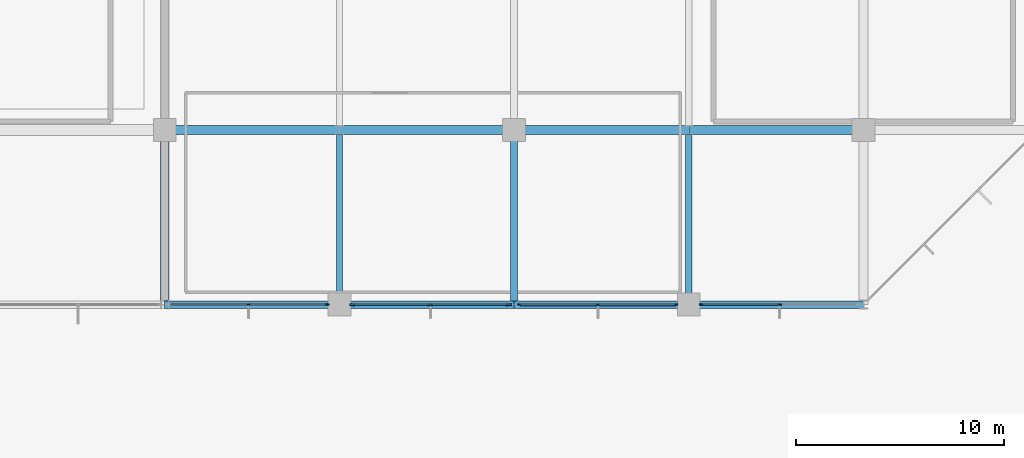
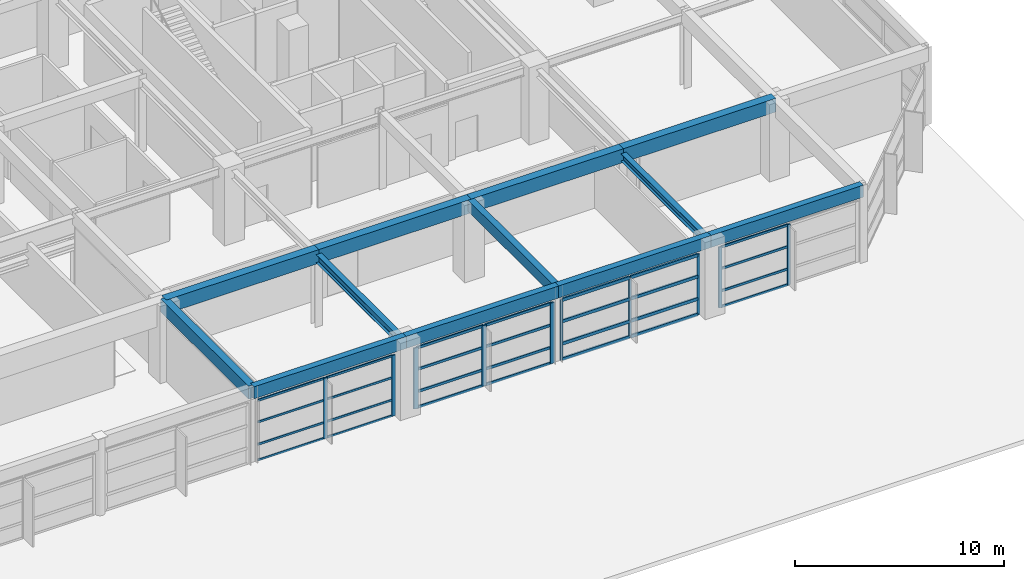
# One storey, part 29 of 47: 38 members, 12 beams, 4 elements without a shape of their own.
"""IFC4 building model written with IfcOpenShell, lengths in metres."""

from ifc_helpers import new_model, si_unit, direction, frame, origin, origin_2d, place, context, subcontext, project, spatial, rectangle, i_section, extrude, material, material_profile, profile_set, type_object, element, aggregate, save


model = new_model("IFC4")

# Units and contexts
model_context = context("Model", 3, precision=1e-05, world=origin(), true_north=direction((0.0, 1.0)))
body_context = subcontext(model_context, "Body", "Model", "MODEL_VIEW")
ifc_project = project(units=[si_unit("LENGTHUNIT", "METRE"), si_unit("AREAUNIT", "SQUARE_METRE"), si_unit("VOLUMEUNIT", "CUBIC_METRE"), si_unit("PLANEANGLEUNIT", "RADIAN"), si_unit("MASSUNIT", "GRAM", prefix="KILO")], contexts=[model_context])

# Site, building, storey
site_placement = place(None, origin())
site = spatial("IfcSite", under=ifc_project, at=site_placement, CompositionType="ELEMENT")
building_placement = place(site_placement, origin())
building = spatial("IfcBuilding", under=site, at=building_placement, Name="Xuanlan Plaza Opera House", CompositionType="ELEMENT")
storey_placement = place(building_placement, frame((0.0, 0.0, 23.39990234375)))
storey = spatial("IfcBuildingStorey", under=building, at=storey_placement, Name="L05", CompositionType="ELEMENT", Elevation=23.39990234375)

# Curtain wall, members
ifc_material_1 = material(Name="Anodised Aluminium 6063-T6 and Low-E Glass", Category="aluminium")
curtain_wall_type_1 = type_object("IfcCurtainWallType", Name="ENV-CW-CW-01", PredefinedType="USERDEFINED", material=ifc_material_1)
curtain_wall_1_placement = place(storey_placement, origin())
curtain_wall_1 = element("IfcCurtainWall", 1, at=curtain_wall_1_placement, inside=storey, type_object=curtain_wall_type_1, Name="Unitised Curtain Wall L05-014", ObjectType="UNITISED CURTAIN WALL", PredefinedType="USERDEFINED")
ifc_material_2 = material(Name="Anodised Aluminium 6063-T6", Category="aluminium")
ifc_material_profile_1 = material_profile(ifc_material_2, rectangle(XDim=0.06494140625, YDim=0.159912109375, at=origin_2d()), Name="ALU-M 65x160")
ifc_profile_set_1 = profile_set([ifc_material_profile_1], Name="Anodised Aluminium 6063-T6")
member_type_1 = type_object("IfcMemberType", Name="ENV-CWM-01", PredefinedType="MULLION", material=ifc_profile_set_1)
member_1_placement = place(storey_placement, frame((143.052490234375, 33.60009765625, 0.0), z_axis=(0.0, 0.0, 1.0), x_axis=(0.0, 1.0, 0.0)))
member_1 = element("IfcMember", 2, at=member_1_placement, type_object=member_type_1, Name="CW-01 mullion 1", PredefinedType="MULLION", context=body_context, shape_type="SweptSolid", body=[
    extrude(rectangle(XDim=0.06494140625, YDim=0.159912109375, at=origin_2d()), origin(), (0.0, 0.0, 1.0), 3.5400390625),
])
member_2_placement = place(storey_placement, frame((146.824951171875, 33.60009765625, 0.0), z_axis=(0.0, 0.0, 1.0), x_axis=(0.0, 1.0, 0.0)))
member_2 = element("IfcMember", 3, at=member_2_placement, type_object=member_type_1, Name="CW-01 mullion 2", PredefinedType="MULLION", context=body_context, shape_type="SweptSolid", body=[
    extrude(rectangle(XDim=0.06494140625, YDim=0.159912109375, at=origin_2d()), origin(), (0.0, 0.0, 1.0), 3.5400390625),
])
member_3_placement = place(storey_placement, frame((150.597412109375, 33.60009765625, 0.0), z_axis=(0.0, 0.0, 1.0), x_axis=(0.0, 1.0, 0.0)))
member_3 = element("IfcMember", 4, at=member_3_placement, type_object=member_type_1, Name="CW-01 mullion 3", PredefinedType="MULLION", context=body_context, shape_type="SweptSolid", body=[
    extrude(rectangle(XDim=0.06494140625, YDim=0.159912109375, at=origin_2d()), origin(), (0.0, 0.0, 1.0), 3.5400390625),
])

curtain_wall_type_2 = type_object("IfcCurtainWallType", Name="ENV-CW-CW-02", PredefinedType="USERDEFINED", material=ifc_material_1)
curtain_wall_2_placement = place(storey_placement, origin())
curtain_wall_2 = element("IfcCurtainWall", 5, at=curtain_wall_2_placement, inside=storey, type_object=curtain_wall_type_2, Name="Unitised Curtain Wall L05-015", ObjectType="UNITISED CURTAIN WALL", PredefinedType="USERDEFINED")
ifc_material_profile_2 = material_profile(ifc_material_2, rectangle(XDim=0.070068359375, YDim=0.179931640625, at=origin_2d()), Name="ALU-M 70x180")
ifc_profile_set_2 = profile_set([ifc_material_profile_2], Name="Anodised Aluminium 6063-T6")
member_type_2 = type_object("IfcMemberType", Name="ENV-CWM-02", PredefinedType="MULLION", material=ifc_profile_set_2)
member_4_placement = place(storey_placement, frame((151.804931640625, 33.60009765625, 0.0), z_axis=(0.0, 0.0, 1.0), x_axis=(0.0, 1.0, 0.0)))
member_4 = element("IfcMember", 6, at=member_4_placement, type_object=member_type_2, Name="CW-02 mullion 1", PredefinedType="MULLION", context=body_context, shape_type="SweptSolid", body=[
    extrude(rectangle(XDim=0.070068359375, YDim=0.179931640625, at=origin_2d()), origin(), (0.0, 0.0, 1.0), 3.5400390625),
])
member_5_placement = place(storey_placement, frame((155.574951171875, 33.60009765625, 0.0), z_axis=(0.0, 0.0, 1.0), x_axis=(0.0, 1.0, 0.0)))
member_5 = element("IfcMember", 7, at=member_5_placement, type_object=member_type_2, Name="CW-02 mullion 2", PredefinedType="MULLION", context=body_context, shape_type="SweptSolid", body=[
    extrude(rectangle(XDim=0.070068359375, YDim=0.179931640625, at=origin_2d()), origin(), (0.0, 0.0, 1.0), 3.5400390625),
])

curtain_wall_type_3 = type_object("IfcCurtainWallType", Name="ENV-CW-CW-05", PredefinedType="USERDEFINED", material=ifc_material_1)
curtain_wall_3_placement = place(storey_placement, origin())
curtain_wall_3 = element("IfcCurtainWall", 8, at=curtain_wall_3_placement, inside=storey, type_object=curtain_wall_type_3, Name="Acoustic Glazed Wall L05-012", ObjectType="ACOUSTIC GLAZED WALL", PredefinedType="USERDEFINED")
ifc_material_profile_3 = material_profile(ifc_material_2, rectangle(XDim=0.080078125, YDim=0.219970703125, at=origin_2d()), Name="ALU-M 80x220")
ifc_profile_set_3 = profile_set([ifc_material_profile_3], Name="Anodised Aluminium 6063-T6")
member_type_3 = type_object("IfcMemberType", Name="ENV-CWM-04", PredefinedType="MULLION", material=ifc_profile_set_3)
member_6_placement = place(storey_placement, frame((130.02490234375, 33.60009765625, 0.0), z_axis=(0.0, 0.0, 1.0), x_axis=(0.0, 1.0, 0.0)))
member_6 = element("IfcMember", 9, at=member_6_placement, type_object=member_type_3, Name="CW-05 mullion 2", PredefinedType="MULLION", context=body_context, shape_type="SweptSolid", body=[
    extrude(rectangle(XDim=0.080078125, YDim=0.219970703125, at=origin_2d()), origin(), (0.0, 0.0, 1.0), 3.5400390625),
])
member_7_placement = place(storey_placement, frame((133.7900390625, 33.60009765625, 0.0), z_axis=(0.0, 0.0, 1.0), x_axis=(0.0, 1.0, 0.0)))
member_7 = element("IfcMember", 10, at=member_7_placement, type_object=member_type_3, Name="CW-05 mullion 3", PredefinedType="MULLION", context=body_context, shape_type="SweptSolid", body=[
    extrude(rectangle(XDim=0.080078125, YDim=0.219970703125, at=origin_2d()), origin(), (0.0, 0.0, 1.0), 3.5400390625),
])

curtain_wall_type_4 = type_object("IfcCurtainWallType", Name="ENV-CW-CW-04", PredefinedType="USERDEFINED", material=ifc_material_1)
curtain_wall_4_placement = place(storey_placement, origin())
curtain_wall_4 = element("IfcCurtainWall", 11, at=curtain_wall_4_placement, inside=storey, type_object=curtain_wall_type_4, Name="Unitised Curtain Wall L05-013", ObjectType="UNITISED CURTAIN WALL", PredefinedType="USERDEFINED")
ifc_material_profile_4 = material_profile(ifc_material_2, rectangle(XDim=0.090087890625, YDim=0.25, at=origin_2d()), Name="ALU-M 90x250")
ifc_profile_set_4 = profile_set([ifc_material_profile_4], Name="Anodised Aluminium 6063-T6")
member_type_4 = type_object("IfcMemberType", Name="ENV-CWM-05", PredefinedType="MULLION", material=ifc_profile_set_4)
member_8_placement = place(storey_placement, frame((135.014892578125, 33.60009765625, 0.0), z_axis=(0.0, 0.0, 1.0), x_axis=(0.0, 1.0, 0.0)))
member_8 = element("IfcMember", 12, at=member_8_placement, type_object=member_type_4, Name="CW-04 mullion 1", PredefinedType="MULLION", context=body_context, shape_type="SweptSolid", body=[
    extrude(rectangle(XDim=0.090087890625, YDim=0.25, at=origin_2d()), origin(), (0.0, 0.0, 1.0), 3.5400390625),
])
member_9_placement = place(storey_placement, frame((138.77490234375, 33.60009765625, 0.0), z_axis=(0.0, 0.0, 1.0), x_axis=(0.0, 1.0, 0.0)))
member_9 = element("IfcMember", 13, at=member_9_placement, type_object=member_type_4, Name="CW-04 mullion 2", PredefinedType="MULLION", context=body_context, shape_type="SweptSolid", body=[
    extrude(rectangle(XDim=0.090087890625, YDim=0.25, at=origin_2d()), origin(), (0.0, 0.0, 1.0), 3.5400390625),
])
member_10_placement = place(storey_placement, frame((142.534912109375, 33.60009765625, 0.0), z_axis=(0.0, 0.0, 1.0), x_axis=(0.0, 1.0, 0.0)))
member_10 = element("IfcMember", 14, at=member_10_placement, type_object=member_type_4, Name="CW-04 mullion 3", PredefinedType="MULLION", context=body_context, shape_type="SweptSolid", body=[
    extrude(rectangle(XDim=0.090087890625, YDim=0.25, at=origin_2d()), origin(), (0.0, 0.0, 1.0), 3.5400390625),
])

# Member
ifc_material_profile_5 = material_profile(ifc_material_2, rectangle(XDim=0.06494140625, YDim=0.1201171875, at=origin_2d()), Name="ALU-T 65x120")
ifc_profile_set_5 = profile_set([ifc_material_profile_5], Name="Anodised Aluminium 6063-T6")
member_type_5 = type_object("IfcMemberType", Name="ENV-CWT-01", PredefinedType="USERDEFINED", material=ifc_profile_set_5)
member_11_placement = place(storey_placement, frame((126.300048828125, 33.60009765625, 0.03271484375), z_axis=(1.0, 0.0, 0.0), x_axis=(0.0, 1.0, 0.0)))
member_11 = element("IfcMember", 15, at=member_11_placement, type_object=member_type_5, Name="CW-05 transom 1.1", ObjectType="TRANSOM", PredefinedType="USERDEFINED", context=body_context, shape_type="SweptSolid", body=[
    extrude(rectangle(XDim=0.06494140625, YDim=0.1201171875, at=origin_2d()), origin(), (0.0, 0.0, 1.0), 3.68505859375),
])

member_12_placement = place(storey_placement, frame((126.300048828125, 33.60009765625, 0.9501953125), z_axis=(1.0, 0.0, 0.0), x_axis=(0.0, 1.0, 0.0)))
member_12 = element("IfcMember", 16, at=member_12_placement, type_object=member_type_5, Name="CW-05 transom 1.2", ObjectType="TRANSOM", PredefinedType="USERDEFINED", context=body_context, shape_type="SweptSolid", body=[
    extrude(rectangle(XDim=0.06494140625, YDim=0.1201171875, at=origin_2d()), origin(), (0.0, 0.0, 1.0), 3.68505859375),
])

member_13_placement = place(storey_placement, frame((126.300048828125, 33.60009765625, 2.25), z_axis=(1.0, 0.0, 0.0), x_axis=(0.0, 1.0, 0.0)))
member_13 = element("IfcMember", 17, at=member_13_placement, type_object=member_type_5, Name="CW-05 transom 1.3", ObjectType="TRANSOM", PredefinedType="USERDEFINED", context=body_context, shape_type="SweptSolid", body=[
    extrude(rectangle(XDim=0.06494140625, YDim=0.1201171875, at=origin_2d()), origin(), (0.0, 0.0, 1.0), 3.68505859375),
])

member_14_placement = place(storey_placement, frame((126.300048828125, 33.60009765625, 3.507568359375), z_axis=(1.0, 0.0, 0.0), x_axis=(0.0, 1.0, 0.0)))
member_14 = element("IfcMember", 18, at=member_14_placement, type_object=member_type_5, Name="CW-05 transom 1.4", ObjectType="TRANSOM", PredefinedType="USERDEFINED", context=body_context, shape_type="SweptSolid", body=[
    extrude(rectangle(XDim=0.06494140625, YDim=0.1201171875, at=origin_2d()), origin(), (0.0, 0.0, 1.0), 3.68505859375),
])

member_15_placement = place(storey_placement, frame((130.06494140625, 33.60009765625, 0.03271484375), z_axis=(1.0, 0.0, 0.0), x_axis=(0.0, 1.0, 0.0)))
member_15 = element("IfcMember", 19, at=member_15_placement, type_object=member_type_5, Name="CW-05 transom 2.1", ObjectType="TRANSOM", PredefinedType="USERDEFINED", context=body_context, shape_type="SweptSolid", body=[
    extrude(rectangle(XDim=0.06494140625, YDim=0.1201171875, at=origin_2d()), origin(), (0.0, 0.0, 1.0), 3.68505859375),
])

member_16_placement = place(storey_placement, frame((130.06494140625, 33.60009765625, 0.9501953125), z_axis=(1.0, 0.0, 0.0), x_axis=(0.0, 1.0, 0.0)))
member_16 = element("IfcMember", 20, at=member_16_placement, type_object=member_type_5, Name="CW-05 transom 2.2", ObjectType="TRANSOM", PredefinedType="USERDEFINED", context=body_context, shape_type="SweptSolid", body=[
    extrude(rectangle(XDim=0.06494140625, YDim=0.1201171875, at=origin_2d()), origin(), (0.0, 0.0, 1.0), 3.68505859375),
])

member_17_placement = place(storey_placement, frame((130.06494140625, 33.60009765625, 2.25), z_axis=(1.0, 0.0, 0.0), x_axis=(0.0, 1.0, 0.0)))
member_17 = element("IfcMember", 21, at=member_17_placement, type_object=member_type_5, Name="CW-05 transom 2.3", ObjectType="TRANSOM", PredefinedType="USERDEFINED", context=body_context, shape_type="SweptSolid", body=[
    extrude(rectangle(XDim=0.06494140625, YDim=0.1201171875, at=origin_2d()), origin(), (0.0, 0.0, 1.0), 3.68505859375),
])

member_18_placement = place(storey_placement, frame((130.06494140625, 33.60009765625, 3.507568359375), z_axis=(1.0, 0.0, 0.0), x_axis=(0.0, 1.0, 0.0)))
member_18 = element("IfcMember", 22, at=member_18_placement, type_object=member_type_5, Name="CW-05 transom 2.4", ObjectType="TRANSOM", PredefinedType="USERDEFINED", context=body_context, shape_type="SweptSolid", body=[
    extrude(rectangle(XDim=0.06494140625, YDim=0.1201171875, at=origin_2d()), origin(), (0.0, 0.0, 1.0), 3.68505859375),
])

aggregate(curtain_wall_3, [member_6, member_7, member_11, member_12, member_13, member_14, member_15, member_16, member_17, member_18])

ifc_material_profile_6 = material_profile(ifc_material_2, rectangle(XDim=0.070068359375, YDim=0.135009765625, at=origin_2d()), Name="ALU-T 70x135")
ifc_profile_set_6 = profile_set([ifc_material_profile_6], Name="Anodised Aluminium 6063-T6")
member_type_6 = type_object("IfcMemberType", Name="ENV-CWT-02", PredefinedType="USERDEFINED", material=ifc_profile_set_6)
member_19_placement = place(storey_placement, frame((151.840087890625, 33.60009765625, 0.03515625), z_axis=(1.0, 0.0, 0.0), x_axis=(0.0, 1.0, 0.0)))
member_19 = element("IfcMember", 23, at=member_19_placement, type_object=member_type_6, Name="CW-02 transom 1.1", ObjectType="TRANSOM", PredefinedType="USERDEFINED", context=body_context, shape_type="SweptSolid", body=[
    extrude(rectangle(XDim=0.070068359375, YDim=0.135009765625, at=origin_2d()), origin(), (0.0, 0.0, 1.0), 3.699951171875),
])

member_20_placement = place(storey_placement, frame((151.840087890625, 33.60009765625, 0.9501953125), z_axis=(1.0, 0.0, 0.0), x_axis=(0.0, 1.0, 0.0)))
member_20 = element("IfcMember", 24, at=member_20_placement, type_object=member_type_6, Name="CW-02 transom 1.2", ObjectType="TRANSOM", PredefinedType="USERDEFINED", context=body_context, shape_type="SweptSolid", body=[
    extrude(rectangle(XDim=0.070068359375, YDim=0.135009765625, at=origin_2d()), origin(), (0.0, 0.0, 1.0), 3.699951171875),
])

member_21_placement = place(storey_placement, frame((151.840087890625, 33.60009765625, 2.25), z_axis=(1.0, 0.0, 0.0), x_axis=(0.0, 1.0, 0.0)))
member_21 = element("IfcMember", 25, at=member_21_placement, type_object=member_type_6, Name="CW-02 transom 1.3", ObjectType="TRANSOM", PredefinedType="USERDEFINED", context=body_context, shape_type="SweptSolid", body=[
    extrude(rectangle(XDim=0.070068359375, YDim=0.135009765625, at=origin_2d()), origin(), (0.0, 0.0, 1.0), 3.699951171875),
])

member_22_placement = place(storey_placement, frame((151.840087890625, 33.60009765625, 3.505126953125), z_axis=(1.0, 0.0, 0.0), x_axis=(0.0, 1.0, 0.0)))
member_22 = element("IfcMember", 26, at=member_22_placement, type_object=member_type_6, Name="CW-02 transom 1.4", ObjectType="TRANSOM", PredefinedType="USERDEFINED", context=body_context, shape_type="SweptSolid", body=[
    extrude(rectangle(XDim=0.070068359375, YDim=0.135009765625, at=origin_2d()), origin(), (0.0, 0.0, 1.0), 3.699951171875),
])

aggregate(curtain_wall_2, [member_4, member_5, member_19, member_20, member_21, member_22])

ifc_material_profile_7 = material_profile(ifc_material_2, rectangle(XDim=0.074951171875, YDim=0.14990234375, at=origin_2d()), Name="ALU-T 75x150")
ifc_profile_set_7 = profile_set([ifc_material_profile_7], Name="Anodised Aluminium 6063-T6")
member_type_7 = type_object("IfcMemberType", Name="ENV-CWT-03", PredefinedType="USERDEFINED", material=ifc_profile_set_7)
member_23_placement = place(storey_placement, frame((135.06005859375, 33.60009765625, 0.03759765625), z_axis=(1.0, 0.0, 0.0), x_axis=(0.0, 1.0, 0.0)))
member_23 = element("IfcMember", 27, at=member_23_placement, type_object=member_type_7, Name="CW-04 transom 1.1", ObjectType="TRANSOM", PredefinedType="USERDEFINED", context=body_context, shape_type="SweptSolid", body=[
    extrude(rectangle(XDim=0.074951171875, YDim=0.14990234375, at=origin_2d()), origin(), (0.0, 0.0, 1.0), 3.669921875),
])

member_24_placement = place(storey_placement, frame((135.06005859375, 33.60009765625, 0.9501953125), z_axis=(1.0, 0.0, 0.0), x_axis=(0.0, 1.0, 0.0)))
member_24 = element("IfcMember", 28, at=member_24_placement, type_object=member_type_7, Name="CW-04 transom 1.2", ObjectType="TRANSOM", PredefinedType="USERDEFINED", context=body_context, shape_type="SweptSolid", body=[
    extrude(rectangle(XDim=0.074951171875, YDim=0.14990234375, at=origin_2d()), origin(), (0.0, 0.0, 1.0), 3.669921875),
])

member_25_placement = place(storey_placement, frame((135.06005859375, 33.60009765625, 2.25), z_axis=(1.0, 0.0, 0.0), x_axis=(0.0, 1.0, 0.0)))
member_25 = element("IfcMember", 29, at=member_25_placement, type_object=member_type_7, Name="CW-04 transom 1.3", ObjectType="TRANSOM", PredefinedType="USERDEFINED", context=body_context, shape_type="SweptSolid", body=[
    extrude(rectangle(XDim=0.074951171875, YDim=0.14990234375, at=origin_2d()), origin(), (0.0, 0.0, 1.0), 3.669921875),
])

member_26_placement = place(storey_placement, frame((135.06005859375, 33.60009765625, 3.502685546875), z_axis=(1.0, 0.0, 0.0), x_axis=(0.0, 1.0, 0.0)))
member_26 = element("IfcMember", 30, at=member_26_placement, type_object=member_type_7, Name="CW-04 transom 1.4", ObjectType="TRANSOM", PredefinedType="USERDEFINED", context=body_context, shape_type="SweptSolid", body=[
    extrude(rectangle(XDim=0.074951171875, YDim=0.14990234375, at=origin_2d()), origin(), (0.0, 0.0, 1.0), 3.669921875),
])

member_27_placement = place(storey_placement, frame((138.820068359375, 33.60009765625, 0.03759765625), z_axis=(1.0, 0.0, 0.0), x_axis=(0.0, 1.0, 0.0)))
member_27 = element("IfcMember", 31, at=member_27_placement, type_object=member_type_7, Name="CW-04 transom 2.1", ObjectType="TRANSOM", PredefinedType="USERDEFINED", context=body_context, shape_type="SweptSolid", body=[
    extrude(rectangle(XDim=0.074951171875, YDim=0.14990234375, at=origin_2d()), origin(), (0.0, 0.0, 1.0), 3.669921875),
])

member_28_placement = place(storey_placement, frame((138.820068359375, 33.60009765625, 0.9501953125), z_axis=(1.0, 0.0, 0.0), x_axis=(0.0, 1.0, 0.0)))
member_28 = element("IfcMember", 32, at=member_28_placement, type_object=member_type_7, Name="CW-04 transom 2.2", ObjectType="TRANSOM", PredefinedType="USERDEFINED", context=body_context, shape_type="SweptSolid", body=[
    extrude(rectangle(XDim=0.074951171875, YDim=0.14990234375, at=origin_2d()), origin(), (0.0, 0.0, 1.0), 3.669921875),
])

member_29_placement = place(storey_placement, frame((138.820068359375, 33.60009765625, 2.25), z_axis=(1.0, 0.0, 0.0), x_axis=(0.0, 1.0, 0.0)))
member_29 = element("IfcMember", 33, at=member_29_placement, type_object=member_type_7, Name="CW-04 transom 2.3", ObjectType="TRANSOM", PredefinedType="USERDEFINED", context=body_context, shape_type="SweptSolid", body=[
    extrude(rectangle(XDim=0.074951171875, YDim=0.14990234375, at=origin_2d()), origin(), (0.0, 0.0, 1.0), 3.669921875),
])

member_30_placement = place(storey_placement, frame((138.820068359375, 33.60009765625, 3.502685546875), z_axis=(1.0, 0.0, 0.0), x_axis=(0.0, 1.0, 0.0)))
member_30 = element("IfcMember", 34, at=member_30_placement, type_object=member_type_7, Name="CW-04 transom 2.4", ObjectType="TRANSOM", PredefinedType="USERDEFINED", context=body_context, shape_type="SweptSolid", body=[
    extrude(rectangle(XDim=0.074951171875, YDim=0.14990234375, at=origin_2d()), origin(), (0.0, 0.0, 1.0), 3.669921875),
])

aggregate(curtain_wall_4, [member_8, member_9, member_10, member_23, member_24, member_25, member_26, member_27, member_28, member_29, member_30])

ifc_material_profile_8 = material_profile(ifc_material_2, rectangle(XDim=0.090087890625, YDim=0.179931640625, at=origin_2d()), Name="ALU-T 90x180")
ifc_profile_set_8 = profile_set([ifc_material_profile_8], Name="Anodised Aluminium 6063-T6")
member_type_8 = type_object("IfcMemberType", Name="ENV-CWT-05", PredefinedType="USERDEFINED", material=ifc_profile_set_8)
member_31_placement = place(storey_placement, frame((143.0849609375, 33.60009765625, 0.045166015625), z_axis=(1.0, 0.0, 0.0), x_axis=(0.0, 1.0, 0.0)))
member_31 = element("IfcMember", 35, at=member_31_placement, type_object=member_type_8, Name="CW-01 transom 1.1", ObjectType="TRANSOM", PredefinedType="USERDEFINED", context=body_context, shape_type="SweptSolid", body=[
    extrude(rectangle(XDim=0.090087890625, YDim=0.179931640625, at=origin_2d()), origin(), (0.0, 0.0, 1.0), 3.70751953125),
])

member_32_placement = place(storey_placement, frame((143.0849609375, 33.60009765625, 0.9501953125), z_axis=(1.0, 0.0, 0.0), x_axis=(0.0, 1.0, 0.0)))
member_32 = element("IfcMember", 36, at=member_32_placement, type_object=member_type_8, Name="CW-01 transom 1.2", ObjectType="TRANSOM", PredefinedType="USERDEFINED", context=body_context, shape_type="SweptSolid", body=[
    extrude(rectangle(XDim=0.090087890625, YDim=0.179931640625, at=origin_2d()), origin(), (0.0, 0.0, 1.0), 3.70751953125),
])

member_33_placement = place(storey_placement, frame((143.0849609375, 33.60009765625, 2.25), z_axis=(1.0, 0.0, 0.0), x_axis=(0.0, 1.0, 0.0)))
member_33 = element("IfcMember", 37, at=member_33_placement, type_object=member_type_8, Name="CW-01 transom 1.3", ObjectType="TRANSOM", PredefinedType="USERDEFINED", context=body_context, shape_type="SweptSolid", body=[
    extrude(rectangle(XDim=0.090087890625, YDim=0.179931640625, at=origin_2d()), origin(), (0.0, 0.0, 1.0), 3.70751953125),
])

member_34_placement = place(storey_placement, frame((143.0849609375, 33.60009765625, 3.4951171875), z_axis=(1.0, 0.0, 0.0), x_axis=(0.0, 1.0, 0.0)))
member_34 = element("IfcMember", 38, at=member_34_placement, type_object=member_type_8, Name="CW-01 transom 1.4", ObjectType="TRANSOM", PredefinedType="USERDEFINED", context=body_context, shape_type="SweptSolid", body=[
    extrude(rectangle(XDim=0.090087890625, YDim=0.179931640625, at=origin_2d()), origin(), (0.0, 0.0, 1.0), 3.70751953125),
])

member_35_placement = place(storey_placement, frame((146.857421875, 33.60009765625, 0.045166015625), z_axis=(1.0, 0.0, 0.0), x_axis=(0.0, 1.0, 0.0)))
member_35 = element("IfcMember", 39, at=member_35_placement, type_object=member_type_8, Name="CW-01 transom 2.1", ObjectType="TRANSOM", PredefinedType="USERDEFINED", context=body_context, shape_type="SweptSolid", body=[
    extrude(rectangle(XDim=0.090087890625, YDim=0.179931640625, at=origin_2d()), origin(), (0.0, 0.0, 1.0), 3.70751953125),
])

member_36_placement = place(storey_placement, frame((146.857421875, 33.60009765625, 0.9501953125), z_axis=(1.0, 0.0, 0.0), x_axis=(0.0, 1.0, 0.0)))
member_36 = element("IfcMember", 40, at=member_36_placement, type_object=member_type_8, Name="CW-01 transom 2.2", ObjectType="TRANSOM", PredefinedType="USERDEFINED", context=body_context, shape_type="SweptSolid", body=[
    extrude(rectangle(XDim=0.090087890625, YDim=0.179931640625, at=origin_2d()), origin(), (0.0, 0.0, 1.0), 3.70751953125),
])

member_37_placement = place(storey_placement, frame((146.857421875, 33.60009765625, 2.25), z_axis=(1.0, 0.0, 0.0), x_axis=(0.0, 1.0, 0.0)))
member_37 = element("IfcMember", 41, at=member_37_placement, type_object=member_type_8, Name="CW-01 transom 2.3", ObjectType="TRANSOM", PredefinedType="USERDEFINED", context=body_context, shape_type="SweptSolid", body=[
    extrude(rectangle(XDim=0.090087890625, YDim=0.179931640625, at=origin_2d()), origin(), (0.0, 0.0, 1.0), 3.70751953125),
])

member_38_placement = place(storey_placement, frame((146.857421875, 33.60009765625, 3.4951171875), z_axis=(1.0, 0.0, 0.0), x_axis=(0.0, 1.0, 0.0)))
member_38 = element("IfcMember", 42, at=member_38_placement, type_object=member_type_8, Name="CW-01 transom 2.4", ObjectType="TRANSOM", PredefinedType="USERDEFINED", context=body_context, shape_type="SweptSolid", body=[
    extrude(rectangle(XDim=0.090087890625, YDim=0.179931640625, at=origin_2d()), origin(), (0.0, 0.0, 1.0), 3.70751953125),
])

aggregate(curtain_wall_1, [member_1, member_2, member_3, member_31, member_32, member_33, member_34, member_35, member_36, member_37, member_38])

# Beams
ifc_material_3 = material(Name="Concrete C40", Category="concrete")
ifc_material_profile_9 = material_profile(ifc_material_3, rectangle(XDim=0.449951171875, YDim=0.800048828125, at=origin_2d()), Name="RC-BM 450x800")
ifc_profile_set_9 = profile_set([ifc_material_profile_9], Name="Concrete C40")
beam_type_1 = type_object("IfcBeamType", Name="STR-BM-B-05", PredefinedType="BEAM", material=ifc_profile_set_9)
beam_1_placement = place(storey_placement, frame((126.0, 42.0, 4.10009765625), z_axis=(1.0, 0.0, 0.0), x_axis=(0.0, 1.0, 0.0)))
element("IfcBeam", 43, at=beam_1_placement, inside=storey, type_object=beam_type_1, Name="Grid Beam X L05 16-17/F", PredefinedType="BEAM", context=body_context, shape_type="SweptSolid", body=[
    extrude(rectangle(XDim=0.449951171875, YDim=0.800048828125, at=origin_2d()), origin(), (0.0, 0.0, 1.0), 8.39990234375),
])
beam_2_placement = place(storey_placement, frame((134.39990234375, 42.0, 4.10009765625), z_axis=(1.0, 0.0, 0.0), x_axis=(0.0, 1.0, 0.0)))
element("IfcBeam", 44, at=beam_2_placement, inside=storey, type_object=beam_type_1, Name="Grid Beam X L05 17-18/F", PredefinedType="BEAM", context=body_context, shape_type="SweptSolid", body=[
    extrude(rectangle(XDim=0.449951171875, YDim=0.800048828125, at=origin_2d()), origin(), (0.0, 0.0, 1.0), 8.400146484375),
])
beam_3_placement = place(storey_placement, frame((142.800048828125, 42.0, 4.10009765625), z_axis=(1.0, 0.0, 0.0), x_axis=(0.0, 1.0, 0.0)))
element("IfcBeam", 45, at=beam_3_placement, inside=storey, type_object=beam_type_1, Name="Grid Beam X L05 18-19/F", PredefinedType="BEAM", context=body_context, shape_type="SweptSolid", body=[
    extrude(rectangle(XDim=0.449951171875, YDim=0.800048828125, at=origin_2d()), origin(), (0.0, 0.0, 1.0), 8.39990234375),
])
beam_4_placement = place(storey_placement, frame((151.199951171875, 42.0, 4.10009765625), z_axis=(1.0, 0.0, 0.0), x_axis=(0.0, 1.0, 0.0)))
element("IfcBeam", 46, at=beam_4_placement, inside=storey, type_object=beam_type_1, Name="Grid Beam X L05 19-20/F", PredefinedType="BEAM", context=body_context, shape_type="SweptSolid", body=[
    extrude(rectangle(XDim=0.449951171875, YDim=0.800048828125, at=origin_2d()), origin(), (0.0, 0.0, 1.0), 8.400146484375),
])
ifc_material_profile_10 = material_profile(ifc_material_3, rectangle(XDim=0.39990234375, YDim=0.75, at=origin_2d()), Name="RC-BM 400x750")
ifc_profile_set_10 = profile_set([ifc_material_profile_10], Name="Concrete C40")
beam_type_2 = type_object("IfcBeamType", Name="STR-BM-B-06", PredefinedType="BEAM", material=ifc_profile_set_10)
beam_5_placement = place(storey_placement, frame((126.0, 33.60009765625, 4.125), z_axis=(0.0, 1.0, 0.0), x_axis=(-1.0, 0.0, 0.0)))
element("IfcBeam", 47, at=beam_5_placement, inside=storey, type_object=beam_type_2, Name="Grid Beam Y L05 16/E-F", PredefinedType="BEAM", context=body_context, shape_type="SweptSolid", body=[
    extrude(rectangle(XDim=0.39990234375, YDim=0.75, at=origin_2d()), origin(), (0.0, 0.0, 1.0), 8.39990234375),
])
ifc_material_profile_11 = material_profile(ifc_material_3, rectangle(XDim=0.35009765625, YDim=0.64990234375, at=origin_2d()), Name="RC-BM 350x650")
ifc_profile_set_11 = profile_set([ifc_material_profile_11], Name="Concrete C40")
beam_type_3 = type_object("IfcBeamType", Name="STR-BM-B-08", PredefinedType="BEAM", material=ifc_profile_set_11)
beam_6_placement = place(storey_placement, frame((142.800048828125, 33.60009765625, 4.175048828125), z_axis=(0.0, 1.0, 0.0), x_axis=(-1.0, 0.0, 0.0)))
element("IfcBeam", 48, at=beam_6_placement, inside=storey, type_object=beam_type_3, Name="Grid Beam Y L05 18/E-F", PredefinedType="BEAM", context=body_context, shape_type="SweptSolid", body=[
    extrude(rectangle(XDim=0.35009765625, YDim=0.64990234375, at=origin_2d()), origin(), (0.0, 0.0, 1.0), 8.39990234375),
])
ifc_material_4 = material(Name="Steel Q355B", Category="steel")
ifc_material_profile_12 = material_profile(ifc_material_4, i_section(OverallWidth=0.300048828125, OverallDepth=0.488037109375, WebThickness=0.010986328125, FlangeThickness=0.01806640625, FilletRadius=0.02197265625, at=origin_2d()), Name="HM 488x300x11x18")
ifc_profile_set_12 = profile_set([ifc_material_profile_12], Name="Steel Q355B")
beam_type_4 = type_object("IfcBeamType", Name="STR-BM-SB-07", PredefinedType="BEAM", material=ifc_profile_set_12)
beam_7_placement = place(storey_placement, frame((134.39990234375, 33.60009765625, 4.010986328125), z_axis=(0.0, 1.0, 0.0), x_axis=(-1.0, 0.0, 0.0)))
element("IfcBeam", 49, at=beam_7_placement, inside=storey, type_object=beam_type_4, Name="Grid Beam Y L05 17/E-F", PredefinedType="BEAM", context=body_context, shape_type="SweptSolid", body=[
    extrude(i_section(OverallWidth=0.300048828125, OverallDepth=0.488037109375, WebThickness=0.010986328125, FlangeThickness=0.01806640625, FilletRadius=0.02197265625, at=origin_2d()), origin(), (0.0, 0.0, 1.0), 8.39990234375),
])
ifc_material_profile_13 = material_profile(ifc_material_4, i_section(OverallWidth=0.300048828125, OverallDepth=0.43994140625, WebThickness=0.010986328125, FlangeThickness=0.01806640625, FilletRadius=0.02001953125, at=origin_2d()), Name="HM 440x300x11x18")
ifc_profile_set_13 = profile_set([ifc_material_profile_13], Name="Steel Q355B")
beam_type_5 = type_object("IfcBeamType", Name="STR-BM-SB-08", PredefinedType="BEAM", material=ifc_profile_set_13)
beam_8_placement = place(storey_placement, frame((151.199951171875, 33.60009765625, 4.03515625), z_axis=(0.0, 1.0, 0.0), x_axis=(-1.0, 0.0, 0.0)))
element("IfcBeam", 50, at=beam_8_placement, inside=storey, type_object=beam_type_5, Name="Grid Beam Y L05 19/E-F", PredefinedType="BEAM", context=body_context, shape_type="SweptSolid", body=[
    extrude(i_section(OverallWidth=0.300048828125, OverallDepth=0.43994140625, WebThickness=0.010986328125, FlangeThickness=0.01806640625, FilletRadius=0.02001953125, at=origin_2d()), origin(), (0.0, 0.0, 1.0), 8.39990234375),
])
ifc_material_profile_14 = material_profile(ifc_material_3, rectangle(XDim=0.35009765625, YDim=0.699951171875, at=origin_2d()), Name="RC-SPD 350x700")
ifc_profile_set_14 = profile_set([ifc_material_profile_14], Name="Concrete C40")
beam_type_6 = type_object("IfcBeamType", Name="STR-BM-SP-02", PredefinedType="SPANDREL", material=ifc_profile_set_14)
beam_9_placement = place(storey_placement, frame((126.0, 33.60009765625, 4.150146484375), z_axis=(1.0, 0.0, 0.0), x_axis=(0.0, 1.0, 0.0)))
element("IfcBeam", 51, at=beam_9_placement, inside=storey, type_object=beam_type_6, Name="Grid Beam X L05 16-17/E", PredefinedType="SPANDREL", context=body_context, shape_type="SweptSolid", body=[
    extrude(rectangle(XDim=0.35009765625, YDim=0.699951171875, at=origin_2d()), origin(), (0.0, 0.0, 1.0), 8.39990234375),
])
beam_10_placement = place(storey_placement, frame((134.39990234375, 33.60009765625, 4.150146484375), z_axis=(1.0, 0.0, 0.0), x_axis=(0.0, 1.0, 0.0)))
element("IfcBeam", 52, at=beam_10_placement, inside=storey, type_object=beam_type_6, Name="Grid Beam X L05 17-18/E", PredefinedType="SPANDREL", context=body_context, shape_type="SweptSolid", body=[
    extrude(rectangle(XDim=0.35009765625, YDim=0.699951171875, at=origin_2d()), origin(), (0.0, 0.0, 1.0), 8.400146484375),
])
beam_11_placement = place(storey_placement, frame((142.800048828125, 33.60009765625, 4.150146484375), z_axis=(1.0, 0.0, 0.0), x_axis=(0.0, 1.0, 0.0)))
element("IfcBeam", 53, at=beam_11_placement, inside=storey, type_object=beam_type_6, Name="Grid Beam X L05 18-19/E", PredefinedType="SPANDREL", context=body_context, shape_type="SweptSolid", body=[
    extrude(rectangle(XDim=0.35009765625, YDim=0.699951171875, at=origin_2d()), origin(), (0.0, 0.0, 1.0), 8.39990234375),
])
beam_12_placement = place(storey_placement, frame((151.199951171875, 33.60009765625, 4.150146484375), z_axis=(1.0, 0.0, 0.0), x_axis=(0.0, 1.0, 0.0)))
element("IfcBeam", 54, at=beam_12_placement, inside=storey, type_object=beam_type_6, Name="Grid Beam X L05 19-20/E", PredefinedType="SPANDREL", context=body_context, shape_type="SweptSolid", body=[
    extrude(rectangle(XDim=0.35009765625, YDim=0.699951171875, at=origin_2d()), origin(), (0.0, 0.0, 1.0), 8.400146484375),
])

save(model, "model.ifc")
